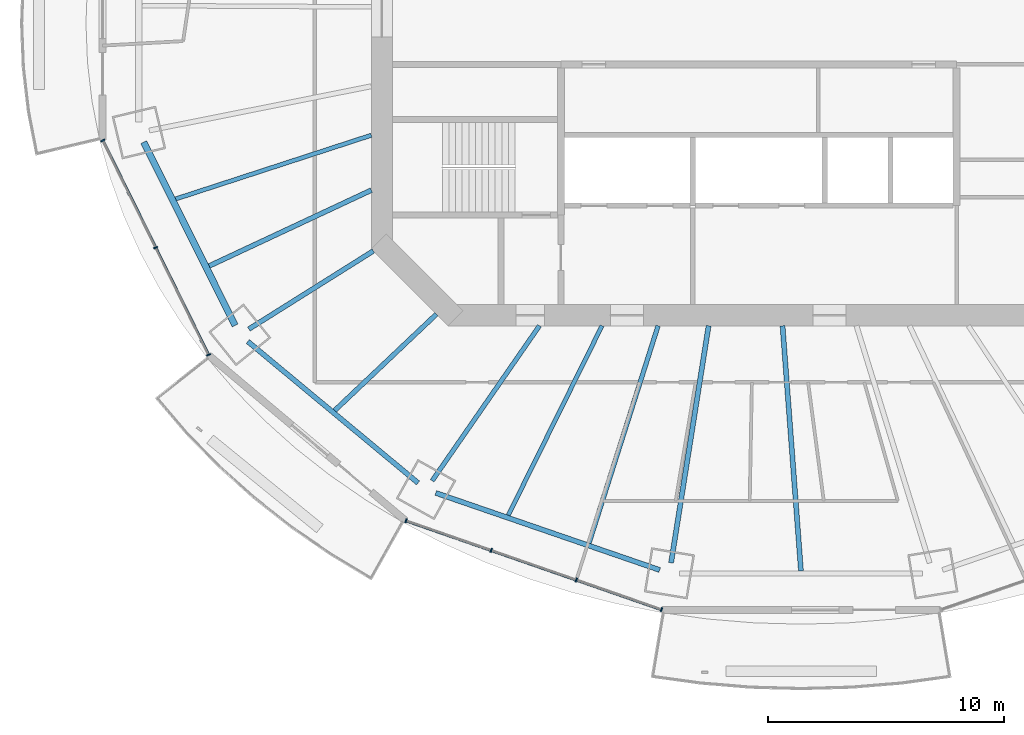
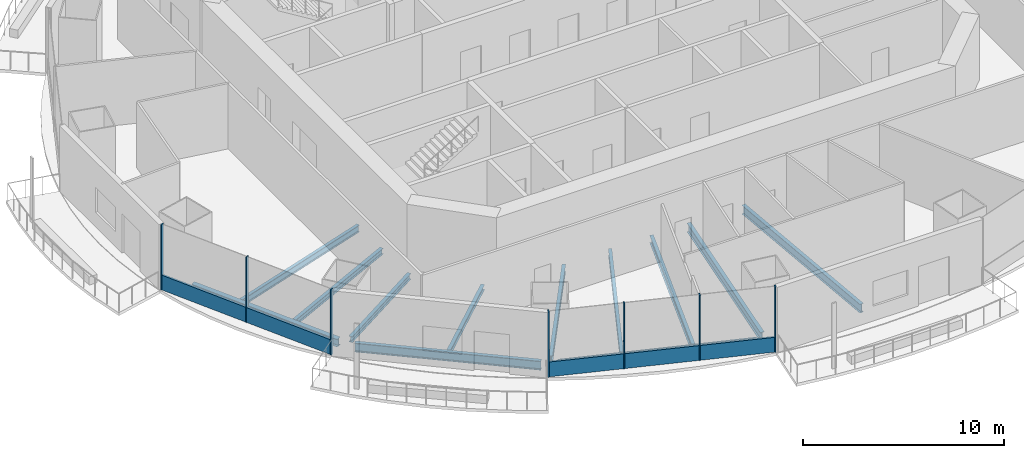
# One storey, part 2 of 19: 12 beams, 9 members, 2 elements without a shape of their own.
"""IFC4 building model written with IfcOpenShell, lengths in metres."""

import ifcopenshell
import ifcopenshell.guid

model = None  # the IFC model being written
_history = None  # IfcOwnerHistory: only IFC2X3 demands one
_inside = {}  # id of a spatial element -> (the spatial element, [elements in it])
_under = {}  # id of a project, library or spatial element -> (it, [spatial elements below it])
_declared = {}  # id of a project -> (the project, [libraries it declares])
_typed = {}  # id of a type object -> (the type object, [elements of that type])
_made_of = {}  # id of a material, layer set ... -> (it, [elements and type objects made of it])


def new_model(schema):
    """Start an empty IFC model of exactly this schema.

    Asked for "IFC4X3", IfcOpenShell would pick the latest addendum, in which some entities
    have other attributes; the version numbers below select the first issue.
    IFC2X3 requires an IfcOwnerHistory on every rooted entity: one is made here for all.
    """
    global model, _history
    if schema == "IFC4X3":
        model = ifcopenshell.file(schema_version=(4, 3, 0, 0))
    else:
        model = ifcopenshell.file(schema=schema)
    _inside.clear()
    _under.clear()
    _declared.clear()
    _typed.clear()
    _made_of.clear()
    _history = None
    if model.schema == "IFC2X3":
        org = make("IfcOrganization", Name="unknown")
        user = make(
            "IfcPersonAndOrganization",
            ThePerson=make("IfcPerson", FamilyName="unknown"),
            TheOrganization=org,
        )
        app = make(
            "IfcApplication",
            ApplicationDeveloper=org,
            Version="unknown",
            ApplicationFullName="unknown",
            ApplicationIdentifier="unknown",
        )
        _history = make(
            "IfcOwnerHistory",
            OwningUser=user,
            OwningApplication=app,
            ChangeAction="ADDED",
            CreationDate=0,
        )
    return model


def make(cls, **values):
    """One entity of the class cls with the attributes given. An attribute that is None is left unset."""
    return model.create_entity(
        cls, **{name: value for name, value in values.items() if value is not None}
    )


def rooted(cls, **values):
    """An entity with a GlobalId (a new one), such as an element, a storey or a relation."""
    return make(cls, GlobalId=ifcopenshell.guid.new(), OwnerHistory=_history, **values)


def si_unit(unit_type, name, prefix=None):
    """IfcSIUnit, for example si_unit("LENGTHUNIT", "METRE", prefix="MILLI")."""
    return make("IfcSIUnit", UnitType=unit_type, Prefix=prefix, Name=name)


def assignment(units):
    """IfcUnitAssignment: the units of a project."""
    return None if units is None else make("IfcUnitAssignment", Units=units)


def point(xyz):
    """IfcCartesianPoint."""
    return None if xyz is None else make("IfcCartesianPoint", Coordinates=xyz)


def direction(xyz):
    """IfcDirection."""
    return None if xyz is None else make("IfcDirection", DirectionRatios=xyz)


def frame(location, z_axis=None, x_axis=None):
    """IfcAxis2Placement3D, a coordinate frame: its origin and axes. An axis left out is left unset."""
    return make(
        "IfcAxis2Placement3D",
        Location=point(location),
        Axis=direction(z_axis),
        RefDirection=direction(x_axis),
    )


def frame_2d(location, x_axis=None):
    """IfcAxis2Placement2D, a coordinate frame in the plane: its origin and x axis."""
    return make(
        "IfcAxis2Placement2D", Location=point(location), RefDirection=direction(x_axis)
    )


def origin():
    """The frame at (0, 0, 0) with its axes left unset."""
    return frame((0.0, 0.0, 0.0))


def origin_2d():
    """The frame at (0, 0) in the plane with its x axis left unset."""
    return frame_2d((0.0, 0.0))


def place(relative_to, where):
    """IfcLocalPlacement: puts the frame where relative to a parent placement (None: the world)."""
    return make(
        "IfcLocalPlacement", PlacementRelTo=relative_to, RelativePlacement=where
    )


def context(
    kind, dimensions, precision=None, world=None, true_north=None, identifier=None
):
    """IfcGeometricRepresentationContext, for example the 3D "Model" context."""
    return make(
        "IfcGeometricRepresentationContext",
        ContextIdentifier=identifier,
        ContextType=kind,
        CoordinateSpaceDimension=dimensions,
        Precision=precision,
        WorldCoordinateSystem=world,
        TrueNorth=true_north,
    )


def subcontext(parent, identifier, kind, view, scale=None):
    """IfcGeometricRepresentationSubContext, for example "Body" below "Model"."""
    return make(
        "IfcGeometricRepresentationSubContext",
        ContextIdentifier=identifier,
        ContextType=kind,
        ParentContext=parent,
        TargetScale=scale,
        TargetView=view,
    )


def project(units=None, contexts=None):
    """IfcProject with its units and contexts."""
    return rooted(
        "IfcProject",
        Name="project",
        RepresentationContexts=contexts,
        UnitsInContext=assignment(units),
    )


def spatial(cls, under=None, at=None, **own):
    """A site, building, storey or space (cls), placed at a placement, below another one or the project."""
    s = rooted(cls, ObjectPlacement=at, **own)
    if under is not None:
        _under.setdefault(under.id(), (under, []))[1].append(s)
    return s


def profile(cls, at=None, kind="AREA", **sizes):
    """A parametric profile (cls). Its sizes go by their IFC names, for example OverallWidth=200.0."""
    return make(cls, ProfileType=kind, Position=at, **sizes)


def rectangle(**sizes):
    """IfcRectangleProfileDef."""
    return profile("IfcRectangleProfileDef", **sizes)


def i_section(**sizes):
    """IfcIShapeProfileDef."""
    return profile("IfcIShapeProfileDef", **sizes)


def extrude(swept, where, along, depth):
    """IfcExtrudedAreaSolid: the profile swept, set in the frame where, extruded along a direction by depth."""
    return make(
        "IfcExtrudedAreaSolid",
        SweptArea=swept,
        Position=where,
        ExtrudedDirection=direction(along),
        Depth=depth,
    )


def shape(context_of_items, identifier, shape_type, items):
    """IfcShapeRepresentation: the items that make up one representation, for example the "Body"."""
    return make(
        "IfcShapeRepresentation",
        ContextOfItems=context_of_items,
        RepresentationIdentifier=identifier,
        RepresentationType=shape_type,
        Items=items,
    )


def material(Name=None, Category=None):
    """IfcMaterial."""
    return make("IfcMaterial", Name=Name, Category=Category)


def material_profile(
    of_material, cross_section, Name=None, Category=None, Priority=None
):
    """IfcMaterialProfile: a cross section and its material."""
    return make(
        "IfcMaterialProfile",
        Name=Name,
        Material=of_material,
        Profile=cross_section,
        Priority=Priority,
        Category=Category,
    )


def profile_set(profiles, Name=None, composite=None):
    """IfcMaterialProfileSet."""
    return make(
        "IfcMaterialProfileSet",
        Name=Name,
        MaterialProfiles=profiles,
        CompositeProfile=composite,
    )


def made_of(thing, what):
    """Note that an element or type object is made of a material, layer set ...; save() writes the relation."""
    if what is not None:
        _made_of.setdefault(what.id(), (what, []))[1].append(thing)
    return thing


def type_object(cls, material=None, **own):
    """A type object (cls), such as IfcWallType, which elements share."""
    return made_of(rooted(cls, **own), material)


def element(
    cls,
    number,
    at=None,
    inside=None,
    cuts=None,
    type_object=None,
    material=None,
    context=None,
    identifier="Body",
    shape_type=None,
    held_by="IfcProductDefinitionShape",
    body=None,
    shapes=None,
    **own,
):
    """One element of the class cls, such as IfcWall. Its Tag is "e" and its number.

    at: its placement. inside: the storey or other place that contains it. cuts: it is an
    opening in that element (IfcRelVoidsElement). A single representation is given by context,
    identifier, shape_type and body (its items); several are given by shapes. held_by: the class
    of the entity that holds the representations. save() writes the other relations.
    """
    e = rooted(cls, Tag="e%d" % number, ObjectPlacement=at, **own)
    if body is not None:
        shapes = [shape(context, identifier, shape_type, body)]
    if shapes is not None:
        e.Representation = make(held_by, Representations=shapes)
    if inside is not None:
        _inside.setdefault(inside.id(), (inside, []))[1].append(e)
    if cuts is not None:
        rooted(
            "IfcRelVoidsElement", RelatingBuildingElement=cuts, RelatedOpeningElement=e
        )
    if type_object is not None:
        _typed.setdefault(type_object.id(), (type_object, []))[1].append(e)
    return made_of(e, material)


def aggregate(whole, parts):
    """IfcRelAggregates: a whole, such as a stair, and the parts it consists of."""
    return rooted("IfcRelAggregates", RelatingObject=whole, RelatedObjects=parts)


def save(model, path):
    """Write the relations noted so far, then the file.

    IfcRelAggregates (storeys below a building ...), IfcRelContainedInSpatialStructure (elements
    in a storey), IfcRelDefinesByType, IfcRelAssociatesMaterial and IfcRelDeclares: one each for
    every whole, place, type object, material and project.
    """
    for whole, parts in _under.values():
        aggregate(whole, parts)
    for where, things in _inside.values():
        rooted(
            "IfcRelContainedInSpatialStructure",
            RelatedElements=things,
            RelatingStructure=where,
        )
    for kind, things in _typed.values():
        rooted("IfcRelDefinesByType", RelatedObjects=things, RelatingType=kind)
    for what, things in _made_of.values():
        rooted("IfcRelAssociatesMaterial", RelatedObjects=things, RelatingMaterial=what)
    for by, libraries in _declared.values():
        rooted("IfcRelDeclares", RelatingContext=by, RelatedDefinitions=libraries)
    model.write(path)


model = new_model("IFC4")

# Units and contexts
model_context = context("Model", 3, precision=1e-05, world=origin(), true_north=direction((0.0, 1.0)))
body_context = subcontext(model_context, "Body", "Model", "MODEL_VIEW")
ifc_project = project(units=[si_unit("LENGTHUNIT", "METRE"), si_unit("AREAUNIT", "SQUARE_METRE"), si_unit("VOLUMEUNIT", "CUBIC_METRE"), si_unit("PLANEANGLEUNIT", "RADIAN"), si_unit("MASSUNIT", "GRAM", prefix="KILO")], contexts=[model_context])

# Site, building, storey
site_placement = place(None, origin())
site = spatial("IfcSite", under=ifc_project, at=site_placement, CompositionType="ELEMENT")
building_placement = place(site_placement, origin())
building = spatial("IfcBuilding", under=site, at=building_placement, Name="Marenthal Gate Tower", CompositionType="ELEMENT")
storey_placement = place(building_placement, frame((0.0, 0.0, 235.75)))
storey = spatial("IfcBuildingStorey", under=building, at=storey_placement, Name="L52", CompositionType="ELEMENT", Elevation=235.75)

# Curtain wall, members
ifc_material_1 = material(Name="Aluminium and glass", Category="aluminium")
curtain_wall_type = type_object("IfcCurtainWallType", Name="Curtain wall typical mid", PredefinedType="NOTDEFINED", material=ifc_material_1)
curtain_wall_1_placement = place(storey_placement, origin())
curtain_wall_1 = element("IfcCurtainWall", 1, at=curtain_wall_1_placement, inside=storey, type_object=curtain_wall_type, Name="Curtain wall L52 bay 9", PredefinedType="NOTDEFINED")
ifc_material_2 = material(Name="Aluminium", Category="aluminium")
ifc_material_profile_1 = material_profile(ifc_material_2, rectangle(XDim=0.179931640625, YDim=0.06005859375, at=origin_2d()), Name="60x180 aluminium mullion")
ifc_profile_set_1 = profile_set([ifc_material_profile_1], Name="Aluminium")
member_type_1 = type_object("IfcMemberType", Name="Mullion 60x180 typical mid", PredefinedType="MULLION", material=ifc_profile_set_1)
member_1_placement = place(storey_placement, frame((-27.8505859375, -5.58203125, 0.0), z_axis=(0.0, 0.0, 1.0), x_axis=(0.896835471663, 0.442364258013, 0.0)))
member_1 = element("IfcMember", 2, at=member_1_placement, type_object=member_type_1, Name="Mullion L52 bay 9.1", PredefinedType="MULLION", context=body_context, shape_type="SweptSolid", body=[
    extrude(rectangle(XDim=0.179931640625, YDim=0.06005859375, at=origin_2d()), origin(), (0.0, 0.0, 1.0), 3.969970703125),
])
member_2_placement = place(storey_placement, frame((-25.60595703125, -10.133056640625, 0.0), z_axis=(0.0, 0.0, 1.0), x_axis=(0.896835471663, 0.442364258013, 0.0)))
member_2 = element("IfcMember", 3, at=member_2_placement, type_object=member_type_1, Name="Mullion L52 bay 9.2", PredefinedType="MULLION", context=body_context, shape_type="SweptSolid", body=[
    extrude(rectangle(XDim=0.179931640625, YDim=0.06005859375, at=origin_2d()), origin(), (0.0, 0.0, 1.0), 3.969970703125),
])
member_3_placement = place(storey_placement, frame((-23.361083984375, -14.68408203125, 0.0), z_axis=(0.0, 0.0, 1.0), x_axis=(0.896835471663, 0.442364258013, 0.0)))
member_3 = element("IfcMember", 4, at=member_3_placement, type_object=member_type_1, Name="Mullion L52 bay 9.3", PredefinedType="MULLION", context=body_context, shape_type="SweptSolid", body=[
    extrude(rectangle(XDim=0.179931640625, YDim=0.06005859375, at=origin_2d()), origin(), (0.0, 0.0, 1.0), 3.969970703125),
])

curtain_wall_2_placement = place(storey_placement, origin())
curtain_wall_2 = element("IfcCurtainWall", 5, at=curtain_wall_2_placement, inside=storey, type_object=curtain_wall_type, Name="Curtain wall L52 bay 11", PredefinedType="NOTDEFINED")
member_4_placement = place(storey_placement, frame((-14.974853515625, -21.728271484375, 0.0), z_axis=(0.0, 0.0, 1.0), x_axis=(0.328540448732, 0.944489901241, 0.0)))
member_4 = element("IfcMember", 6, at=member_4_placement, type_object=member_type_1, Name="Mullion L52 bay 11.1", PredefinedType="MULLION", context=body_context, shape_type="SweptSolid", body=[
    extrude(rectangle(XDim=0.179931640625, YDim=0.06005859375, at=origin_2d()), origin(), (0.0, 0.0, 1.0), 3.969970703125),
])
member_5_placement = place(storey_placement, frame((-11.359619140625, -22.98583984375, 0.0), z_axis=(0.0, 0.0, 1.0), x_axis=(0.328540448732, 0.944489901241, 0.0)))
member_5 = element("IfcMember", 7, at=member_5_placement, type_object=member_type_1, Name="Mullion L52 bay 11.2", PredefinedType="MULLION", context=body_context, shape_type="SweptSolid", body=[
    extrude(rectangle(XDim=0.179931640625, YDim=0.06005859375, at=origin_2d()), origin(), (0.0, 0.0, 1.0), 3.969970703125),
])
member_6_placement = place(storey_placement, frame((-7.744140625, -24.24365234375, 0.0), z_axis=(0.0, 0.0, 1.0), x_axis=(0.328540448732, 0.944489901241, 0.0)))
member_6 = element("IfcMember", 8, at=member_6_placement, type_object=member_type_1, Name="Mullion L52 bay 11.3", PredefinedType="MULLION", context=body_context, shape_type="SweptSolid", body=[
    extrude(rectangle(XDim=0.179931640625, YDim=0.06005859375, at=origin_2d()), origin(), (0.0, 0.0, 1.0), 3.969970703125),
])
member_7_placement = place(storey_placement, frame((-4.12890625, -25.501220703125, 0.0), z_axis=(0.0, 0.0, 1.0), x_axis=(0.328540448732, 0.944489901241, 0.0)))
member_7 = element("IfcMember", 9, at=member_7_placement, type_object=member_type_1, Name="Mullion L52 bay 11.4", PredefinedType="MULLION", context=body_context, shape_type="SweptSolid", body=[
    extrude(rectangle(XDim=0.179931640625, YDim=0.06005859375, at=origin_2d()), origin(), (0.0, 0.0, 1.0), 3.969970703125),
])

# Member
ifc_material_3 = material(Name="Aluminium", Category="aluminium")
ifc_material_profile_2 = material_profile(ifc_material_3, rectangle(XDim=0.1201171875, YDim=0.89990234375, at=origin_2d()), Name="120x900 aluminium transom")
ifc_profile_set_2 = profile_set([ifc_material_profile_2], Name="Aluminium")
member_type_2 = type_object("IfcMemberType", Name="Transom 120x900 typical mid", PredefinedType="USERDEFINED", material=ifc_profile_set_2)
member_8_placement = place(storey_placement, frame((-27.83740234375, -5.60888671875, 0.449951171875), z_axis=(0.442377007868, -0.896829182682, 0.0), x_axis=(0.896829182682, 0.442377007868, 0.0)))
member_8 = element("IfcMember", 10, at=member_8_placement, type_object=member_type_2, Name="Transom L52 bay 9", ObjectType="TRANSOM", PredefinedType="USERDEFINED", context=body_context, shape_type="SweptSolid", body=[
    extrude(rectangle(XDim=0.1201171875, YDim=0.89990234375, at=origin_2d()), origin(), (0.0, 0.0, 1.0), 10.0888671875),
])

aggregate(curtain_wall_1, [member_1, member_2, member_3, member_8])

member_9_placement = place(storey_placement, frame((-14.946533203125, -21.73828125, 0.449951171875), z_axis=(0.944493336766, -0.328530572099, 0.0), x_axis=(0.328530572099, 0.944493336766, 0.0)))
member_9 = element("IfcMember", 11, at=member_9_placement, type_object=member_type_2, Name="Transom L52 bay 11", ObjectType="TRANSOM", PredefinedType="USERDEFINED", context=body_context, shape_type="SweptSolid", body=[
    extrude(rectangle(XDim=0.1201171875, YDim=0.89990234375, at=origin_2d()), origin(), (0.0, 0.0, 1.0), 11.42333984375),
])

aggregate(curtain_wall_2, [member_4, member_5, member_6, member_7, member_9])

# Beams
ifc_material_4 = material(Name="Steel S355", Category="steel")
ifc_material_profile_3 = material_profile(ifc_material_4, i_section(OverallWidth=0.202880859375, OverallDepth=0.302001953125, WebThickness=0.007568359375, FlangeThickness=0.01318359375, FilletRadius=0.0126953125, at=origin_2d()), Name="W310X60")
ifc_profile_set_3 = profile_set([ifc_material_profile_3], Name="Steel S355")
beam_type_1 = type_object("IfcBeamType", Name="W310X60 beam", PredefinedType="BEAM", material=ifc_profile_set_3)
beam_1_placement = place(storey_placement, frame((-18.002197265625, -17.04541015625, -0.3310546875), z_axis=(0.726148890655, 0.687537481597, 0.0), x_axis=(-0.687537481597, 0.726148890655, 0.0)))
element("IfcBeam", 12, at=beam_1_placement, inside=storey, type_object=beam_type_1, Name="BM-L52-31", PredefinedType="BEAM", context=body_context, shape_type="SweptSolid", body=[
    extrude(i_section(OverallWidth=0.202880859375, OverallDepth=0.302001953125, WebThickness=0.007568359375, FlangeThickness=0.01318359375, FilletRadius=0.0126953125, at=origin_2d()), origin(), (0.0, 0.0, 1.0), 5.949951171875),
])
ifc_material_5 = material(Name="Steel S355", Category="steel")
ifc_material_profile_4 = material_profile(ifc_material_5, i_section(OverallWidth=0.205078125, OverallDepth=0.35302734375, WebThickness=0.009521484375, FlangeThickness=0.016845703125, FilletRadius=0.014892578125, at=origin_2d()), Name="W360X79")
ifc_profile_set_4 = profile_set([ifc_material_profile_4], Name="Steel S355")
beam_type_2 = type_object("IfcBeamType", Name="W360X79 beam", PredefinedType="BEAM", material=ifc_profile_set_4)
beam_2_placement = place(storey_placement, frame((-21.6474609375, -13.59033203125, -0.3564453125), z_axis=(0.846932607318, 0.531700252644, 0.0), x_axis=(-0.531700252644, 0.846932607318, 0.0)))
element("IfcBeam", 13, at=beam_2_placement, inside=storey, type_object=beam_type_2, Name="BM-L52-10", PredefinedType="BEAM", context=body_context, shape_type="SweptSolid", body=[
    extrude(i_section(OverallWidth=0.205078125, OverallDepth=0.35302734375, WebThickness=0.009521484375, FlangeThickness=0.016845703125, FilletRadius=0.014892578125, at=origin_2d()), origin(), (0.0, 0.0, 1.0), 6.2392578125),
])
beam_3_placement = place(storey_placement, frame((-23.33447265625, -10.911865234375, -0.3564453125), z_axis=(0.905857061392, 0.423583503369, 0.0), x_axis=(-0.423583503369, 0.905857061392, 0.0)))
element("IfcBeam", 14, at=beam_3_placement, inside=storey, type_object=beam_type_2, Name="BM-L52-30", PredefinedType="BEAM", context=body_context, shape_type="SweptSolid", body=[
    extrude(i_section(OverallWidth=0.205078125, OverallDepth=0.35302734375, WebThickness=0.009521484375, FlangeThickness=0.016845703125, FilletRadius=0.014892578125, at=origin_2d()), origin(), (0.0, 0.0, 1.0), 7.60009765625),
])
ifc_material_6 = material(Name="Steel S355", Category="steel")
ifc_material_profile_5 = material_profile(ifc_material_6, i_section(OverallWidth=0.180908203125, OverallDepth=0.4169921875, WebThickness=0.010986328125, FlangeThickness=0.018310546875, FilletRadius=0.01025390625, at=origin_2d()), Name="W410X85")
ifc_profile_set_5 = profile_set([ifc_material_profile_5], Name="Steel S355")
beam_type_3 = type_object("IfcBeamType", Name="W410X85 beam", PredefinedType="BEAM", material=ifc_profile_set_5)
beam_4_placement = place(storey_placement, frame((-24.75341796875, -8.065185546875, -0.388427734375), z_axis=(0.950808446089, 0.309779435803, 0.0), x_axis=(-0.309779435803, 0.950808446089, 0.0)))
element("IfcBeam", 15, at=beam_4_placement, inside=storey, type_object=beam_type_3, Name="BM-L52-29", PredefinedType="BEAM", context=body_context, shape_type="SweptSolid", body=[
    extrude(i_section(OverallWidth=0.180908203125, OverallDepth=0.4169921875, WebThickness=0.010986328125, FlangeThickness=0.018310546875, FilletRadius=0.01025390625, at=origin_2d()), origin(), (0.0, 0.0, 1.0), 8.733154296875),
])
beam_5_placement = place(storey_placement, frame((-10.633544921875, -21.494384765625, -0.388427734375), z_axis=(0.443423041842, 0.89631244885, 0.0), x_axis=(-0.89631244885, 0.443423041842, 0.0)))
element("IfcBeam", 16, at=beam_5_placement, inside=storey, type_object=beam_type_3, Name="BM-L52-32", PredefinedType="BEAM", context=body_context, shape_type="SweptSolid", body=[
    extrude(i_section(OverallWidth=0.180908203125, OverallDepth=0.4169921875, WebThickness=0.010986328125, FlangeThickness=0.018310546875, FilletRadius=0.01025390625, at=origin_2d()), origin(), (0.0, 0.0, 1.0), 8.97509765625),
])
ifc_material_7 = material(Name="Steel S355", Category="steel")
ifc_material_profile_6 = material_profile(ifc_material_7, i_section(OverallWidth=0.279052734375, OverallDepth=0.4619140625, WebThickness=0.0107421875, FlangeThickness=0.017333984375, FilletRadius=0.010009765625, at=origin_2d()), Name="W460X113")
ifc_profile_set_6 = profile_set([ifc_material_profile_6], Name="Steel S355")
beam_type_4 = type_object("IfcBeamType", Name="W460X113 beam", PredefinedType="BEAM", material=ifc_profile_set_6)
beam_6_placement = place(storey_placement, frame((-26.11376953125, -5.649169921875, -0.410888671875), z_axis=(0.446135404935, -0.894965474453, 0.0), x_axis=(0.894965474453, 0.446135404935, 0.0)))
element("IfcBeam", 17, at=beam_6_placement, inside=storey, type_object=beam_type_4, Name="BM-L52-49", PredefinedType="BEAM", context=body_context, shape_type="SweptSolid", body=[
    extrude(i_section(OverallWidth=0.279052734375, OverallDepth=0.4619140625, WebThickness=0.0107421875, FlangeThickness=0.017333984375, FilletRadius=0.010009765625, at=origin_2d()), origin(), (0.0, 0.0, 1.0), 8.69775390625),
])
ifc_material_8 = material(Name="Steel S355", Category="steel")
ifc_material_profile_7 = material_profile(ifc_material_8, i_section(OverallWidth=0.193115234375, OverallDepth=0.467041015625, WebThickness=0.011474609375, FlangeThickness=0.01904296875, FilletRadius=0.010009765625, at=origin_2d()), Name="W460X97")
ifc_profile_set_7 = profile_set([ifc_material_profile_7], Name="Steel S355")
beam_type_5 = type_object("IfcBeamType", Name="W460X97 beam", PredefinedType="BEAM", material=ifc_profile_set_7)
beam_7_placement = place(storey_placement, frame((-13.86669921875, -20.031005859375, -0.41357421875), z_axis=(0.56919253172, 0.822204270138, 0.0), x_axis=(-0.822204270138, 0.56919253172, 0.0)))
element("IfcBeam", 18, at=beam_7_placement, inside=storey, type_object=beam_type_5, Name="BM-L52-11", PredefinedType="BEAM", context=body_context, shape_type="SweptSolid", body=[
    extrude(i_section(OverallWidth=0.193115234375, OverallDepth=0.467041015625, WebThickness=0.011474609375, FlangeThickness=0.01904296875, FilletRadius=0.010009765625, at=origin_2d()), origin(), (0.0, 0.0, 1.0), 8.004150390625),
])
beam_8_placement = place(storey_placement, frame((-7.20458984375, -22.6748046875, -0.41357421875), z_axis=(0.302825716361, 0.953045951416, 0.0), x_axis=(-0.953045951416, 0.302825716361, 0.0)))
element("IfcBeam", 19, at=beam_8_placement, inside=storey, type_object=beam_type_5, Name="BM-L52-33", PredefinedType="BEAM", context=body_context, shape_type="SweptSolid", body=[
    extrude(i_section(OverallWidth=0.193115234375, OverallDepth=0.467041015625, WebThickness=0.011474609375, FlangeThickness=0.01904296875, FilletRadius=0.010009765625, at=origin_2d()), origin(), (0.0, 0.0, 1.0), 9.679443359375),
])
ifc_material_9 = material(Name="Steel S355", Category="steel")
ifc_material_profile_8 = material_profile(ifc_material_9, i_section(OverallWidth=0.2099609375, OverallDepth=0.535888671875, WebThickness=0.010986328125, FlangeThickness=0.017333984375, FilletRadius=0.0126953125, at=origin_2d()), Name="W530X101")
ifc_profile_set_8 = profile_set([ifc_material_profile_8], Name="Steel S355")
beam_type_6 = type_object("IfcBeamType", Name="W530X101 beam", PredefinedType="BEAM", material=ifc_profile_set_8)
beam_9_placement = place(storey_placement, frame((1.7919921875, -23.855224609375, -0.447998046875), z_axis=(-0.074894646593, 0.997191451985, 0.0), x_axis=(-0.997191451985, -0.074894646593, 0.0)))
element("IfcBeam", 20, at=beam_9_placement, inside=storey, type_object=beam_type_6, Name="BM-L52-34", PredefinedType="BEAM", context=body_context, shape_type="SweptSolid", body=[
    extrude(i_section(OverallWidth=0.2099609375, OverallDepth=0.535888671875, WebThickness=0.010986328125, FlangeThickness=0.017333984375, FilletRadius=0.0126953125, at=origin_2d()), origin(), (0.0, 0.0, 1.0), 10.4345703125),
])
ifc_material_10 = material(Name="Steel S355", Category="steel")
ifc_material_profile_9 = material_profile(ifc_material_10, i_section(OverallWidth=0.2119140625, OverallDepth=0.5439453125, WebThickness=0.01318359375, FlangeThickness=0.021240234375, FilletRadius=0.0126953125, at=origin_2d()), Name="W530X123")
ifc_profile_set_9 = profile_set([ifc_material_profile_9], Name="Steel S355")
beam_type_7 = type_object("IfcBeamType", Name="W530X123 beam", PredefinedType="BEAM", material=ifc_profile_set_9)
beam_10_placement = place(storey_placement, frame((-3.721923828125, -23.516845703125, -0.451904296875), z_axis=(0.156321738936, 0.987706188062, 0.0), x_axis=(-0.987706188062, 0.156321738936, 0.0)))
element("IfcBeam", 21, at=beam_10_placement, inside=storey, type_object=beam_type_7, Name="BM-L52-12", PredefinedType="BEAM", context=body_context, shape_type="SweptSolid", body=[
    extrude(i_section(OverallWidth=0.2119140625, OverallDepth=0.5439453125, WebThickness=0.01318359375, FlangeThickness=0.021240234375, FilletRadius=0.0126953125, at=origin_2d()), origin(), (0.0, 0.0, 1.0), 10.192138671875),
])
beam_11_placement = place(storey_placement, frame((-21.69287109375, -14.11669921875, -0.451904296875), z_axis=(0.769123379534, -0.639100326282, 0.0), x_axis=(0.639100326282, 0.769123379534, 0.0)))
element("IfcBeam", 22, at=beam_11_placement, inside=storey, type_object=beam_type_7, Name="BM-L52-50", PredefinedType="BEAM", context=body_context, shape_type="SweptSolid", body=[
    extrude(i_section(OverallWidth=0.2119140625, OverallDepth=0.5439453125, WebThickness=0.01318359375, FlangeThickness=0.021240234375, FilletRadius=0.0126953125, at=origin_2d()), origin(), (0.0, 0.0, 1.0), 9.397705078125),
])
beam_12_placement = place(storey_placement, frame((-13.7099609375, -20.5478515625, -0.451904296875), z_axis=(0.945565649908, -0.325431408617, 0.0), x_axis=(0.325431408617, 0.945565649908, 0.0)))
element("IfcBeam", 23, at=beam_12_placement, inside=storey, type_object=beam_type_7, Name="BM-L52-51", PredefinedType="BEAM", context=body_context, shape_type="SweptSolid", body=[
    extrude(i_section(OverallWidth=0.2119140625, OverallDepth=0.5439453125, WebThickness=0.01318359375, FlangeThickness=0.021240234375, FilletRadius=0.0126953125, at=origin_2d()), origin(), (0.0, 0.0, 1.0), 10.050537109375),
])

save(model, "model.ifc")
